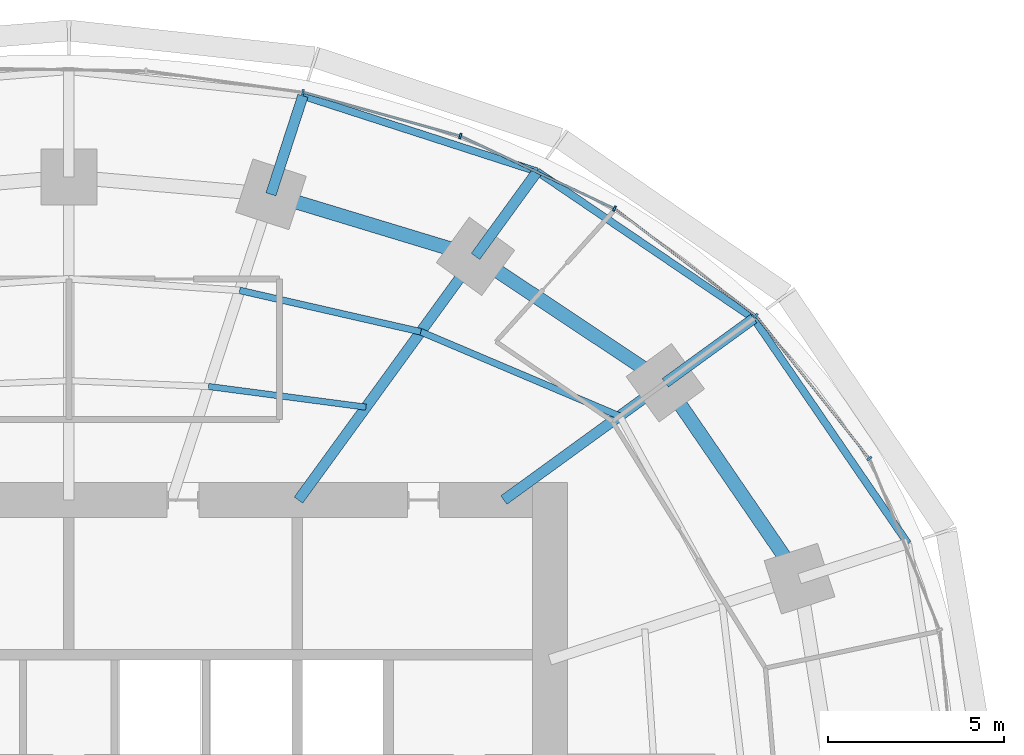
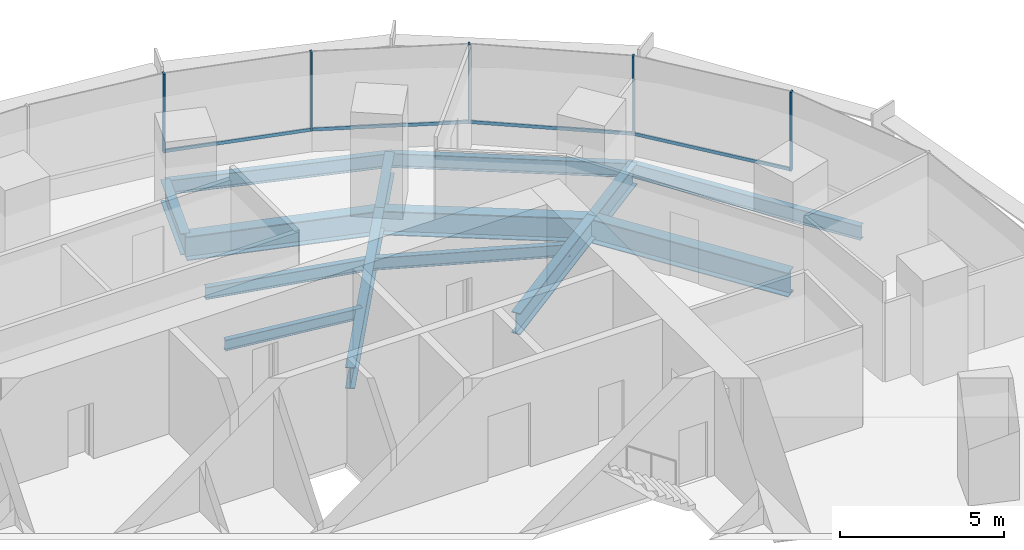
# One storey, part 8 of 14: 14 beams, 9 members, 2 elements without a shape of their own.
"""IFC4 building model written with IfcOpenShell, lengths in metres."""

from ifc_helpers import new_model, si_unit, direction, frame, origin, origin_2d, place, context, subcontext, project, spatial, rectangle, i_section, extrude, material, material_profile, profile_set, type_object, element, aggregate, save


model = new_model("IFC4")

# Units and contexts
model_context = context("Model", 3, precision=1e-05, world=origin(), true_north=direction((0.0, 1.0)))
body_context = subcontext(model_context, "Body", "Model", "MODEL_VIEW")
ifc_project = project(units=[si_unit("LENGTHUNIT", "METRE"), si_unit("AREAUNIT", "SQUARE_METRE"), si_unit("VOLUMEUNIT", "CUBIC_METRE"), si_unit("PLANEANGLEUNIT", "RADIAN"), si_unit("MASSUNIT", "GRAM", prefix="KILO")], contexts=[model_context])

# Site, building, storey
site_placement = place(None, origin())
site = spatial("IfcSite", under=ifc_project, at=site_placement, CompositionType="ELEMENT")
building_placement = place(site_placement, origin())
building = spatial("IfcBuilding", under=site, at=building_placement, Name="Marramba Exchange Tower", CompositionType="ELEMENT")
storey_placement = place(building_placement, frame((0.0, 0.0, 104.10009765625)))
storey = spatial("IfcBuildingStorey", under=building, at=storey_placement, Name="L24", CompositionType="ELEMENT", Elevation=104.10009765625)

# Beams
ifc_material_1 = material(Name="Steel AS/NZS 3679.2 grade 300", Category="steel")
ifc_material_profile_1 = material_profile(ifc_material_1, i_section(OverallWidth=0.300048828125, OverallDepth=0.800048828125, WebThickness=0.013916015625, FlangeThickness=0.031982421875, at=origin_2d()), Name="800WB192")
ifc_profile_set_1 = profile_set([ifc_material_profile_1], Name="Steel AS/NZS 3679.2 grade 300")
beam_type_1 = type_object("IfcBeamType", Name="Cantilever girder 800WB192", PredefinedType="BEAM", material=ifc_profile_set_1)
beam_1_placement = place(storey_placement, frame((16.98583984375, 12.3408203125, -0.56005859375), z_axis=(0.809013970709, 0.58778941399, 0.0), x_axis=(-0.58778941399, 0.809013970709, 0.0)))
element("IfcBeam", 1, at=beam_1_placement, inside=storey, type_object=beam_type_1, Name="Cantilever girder L24 TC03", PredefinedType="BEAM", context=body_context, shape_type="SweptSolid", body=[
    extrude(i_section(OverallWidth=0.300048828125, OverallDepth=0.800048828125, WebThickness=0.013916015625, FlangeThickness=0.031982421875, at=origin_2d()), origin(), (0.0, 0.0, 1.0), 3.1142578125),
])
beam_2_placement = place(storey_placement, frame((11.581298828125, 15.9404296875, -0.56005859375), z_axis=(0.587821738214, 0.808990484544, 0.0), x_axis=(-0.808990484544, 0.587821738214, 0.0)))
element("IfcBeam", 2, at=beam_2_placement, inside=storey, type_object=beam_type_1, Name="Cantilever girder L24 TC04", PredefinedType="BEAM", context=body_context, shape_type="SweptSolid", body=[
    extrude(i_section(OverallWidth=0.300048828125, OverallDepth=0.800048828125, WebThickness=0.013916015625, FlangeThickness=0.031982421875, at=origin_2d()), origin(), (0.0, 0.0, 1.0), 2.987060546875),
])
beam_3_placement = place(storey_placement, frame((5.75390625, 17.70849609375, -0.56005859375), z_axis=(0.309018704887, 0.951055960514, 0.0), x_axis=(-0.951055960514, 0.309018704887, 0.0)))
element("IfcBeam", 3, at=beam_3_placement, inside=storey, type_object=beam_type_1, Name="Cantilever girder L24 TC05", PredefinedType="BEAM", context=body_context, shape_type="SweptSolid", body=[
    extrude(i_section(OverallWidth=0.300048828125, OverallDepth=0.800048828125, WebThickness=0.013916015625, FlangeThickness=0.031982421875, at=origin_2d()), origin(), (0.0, 0.0, 1.0), 2.949951171875),
])
ifc_material_2 = material(Name="Steel AS/NZS 3679.1 grade 300", Category="steel")
ifc_material_profile_2 = material_profile(ifc_material_2, i_section(OverallWidth=0.177978515625, OverallDepth=0.406005859375, WebThickness=0.0078125, FlangeThickness=0.0126953125, FilletRadius=0.011474609375, at=origin_2d()), Name="410UB59.7")
ifc_profile_set_2 = profile_set([ifc_material_profile_2], Name="Steel AS/NZS 3679.1 grade 300")
beam_type_2 = type_object("IfcBeamType", Name="Floor joist 410UB59.7", PredefinedType="JOIST", material=ifc_profile_set_2)
beam_4_placement = place(storey_placement, frame((8.4619140625, 11.646728515625, -0.363037109375), z_axis=(-0.991480538255, 0.130254912618, 0.0), x_axis=(-0.130254912618, -0.991480538255, 0.0)))
element("IfcBeam", 4, at=beam_4_placement, inside=storey, type_object=beam_type_2, Name="Joist L24 bay 04 row 1", PredefinedType="JOIST", context=body_context, shape_type="SweptSolid", body=[
    extrude(i_section(OverallWidth=0.177978515625, OverallDepth=0.406005859375, WebThickness=0.0078125, FlangeThickness=0.0126953125, FilletRadius=0.011474609375, at=origin_2d()), origin(), (0.0, 0.0, 1.0), 4.524658203125),
])
ifc_material_profile_3 = material_profile(ifc_material_2, i_section(OverallWidth=0.18994140625, OverallDepth=0.4541015625, WebThickness=0.008544921875, FlangeThickness=0.0126953125, FilletRadius=0.011474609375, at=origin_2d()), Name="460UB67.1")
ifc_profile_set_3 = profile_set([ifc_material_profile_3], Name="Steel AS/NZS 3679.1 grade 300")
beam_type_3 = type_object("IfcBeamType", Name="Floor joist 460UB67.1", PredefinedType="JOIST", material=ifc_profile_set_3)
beam_5_placement = place(storey_placement, frame((15.682373046875, 11.393798828125, -0.38720703125), z_axis=(-0.920674336375, 0.390331610738, 0.0), x_axis=(-0.390331610738, -0.920674336375, 0.0)))
element("IfcBeam", 5, at=beam_5_placement, inside=storey, type_object=beam_type_3, Name="Joist L24 bay 03 row 2", PredefinedType="JOIST", context=body_context, shape_type="SweptSolid", body=[
    extrude(i_section(OverallWidth=0.18994140625, OverallDepth=0.4541015625, WebThickness=0.008544921875, FlangeThickness=0.0126953125, FilletRadius=0.011474609375, at=origin_2d()), origin(), (0.0, 0.0, 1.0), 6.1484375),
])
beam_6_placement = place(storey_placement, frame((10.021728515625, 13.793701171875, -0.38720703125), z_axis=(-0.974859652292, 0.222819788916, 0.0), x_axis=(-0.222819788916, -0.974859652292, 0.0)))
element("IfcBeam", 6, at=beam_6_placement, inside=storey, type_object=beam_type_3, Name="Joist L24 bay 04 row 2", PredefinedType="JOIST", context=body_context, shape_type="SweptSolid", body=[
    extrude(i_section(OverallWidth=0.18994140625, OverallDepth=0.4541015625, WebThickness=0.008544921875, FlangeThickness=0.0126953125, FilletRadius=0.011474609375, at=origin_2d()), origin(), (0.0, 0.0, 1.0), 5.2900390625),
])

# Curtain wall, members
ifc_material_3 = material(Name="Aluminium framing, bronze anodised", Category="aluminium")
curtain_wall_type = type_object("IfcCurtainWallType", Name="Office ribbon curtain wall", PredefinedType="USERDEFINED", material=ifc_material_3)
curtain_wall_1_placement = place(storey_placement, origin())
curtain_wall_1 = element("IfcCurtainWall", 7, at=curtain_wall_1_placement, inside=storey, type_object=curtain_wall_type, Name="Curtain wall CW4 L24 F01-F05", ObjectType="RIBBON CURTAIN WALL", PredefinedType="USERDEFINED")
ifc_material_4 = material(Name="Aluminium mullion, bronze anodised", Category="aluminium")
ifc_material_profile_4 = material_profile(ifc_material_4, rectangle(XDim=0.159912109375, YDim=0.06005859375, at=origin_2d()), Name="CW4 mullion 60x160")
ifc_profile_set_4 = profile_set([ifc_material_profile_4], Name="Aluminium mullion, bronze anodised")
member_type_1 = type_object("IfcMemberType", Name="Office ribbon curtain wall mullion", PredefinedType="MULLION", material=ifc_profile_set_4)
member_1_placement = place(storey_placement, frame((22.796630859375, 10.181640625, 0.7998046875), z_axis=(0.0, 0.0, 1.0), x_axis=(-0.783563266703, -0.621312004611, 0.0)))
member_1 = element("IfcMember", 8, at=member_1_placement, type_object=member_type_1, Name="CW4 mullion 1", PredefinedType="MULLION", context=body_context, shape_type="SweptSolid", body=[
    extrude(rectangle(XDim=0.159912109375, YDim=0.06005859375, at=origin_2d()), origin(), (0.0, 0.0, 1.0), 2.940185546875),
])
member_2_placement = place(storey_placement, frame((19.5625, 14.24853515625, 0.7998046875), z_axis=(0.0, 0.0, 1.0), x_axis=(-0.60533377223, -0.795971748366, 0.0)))
member_2 = element("IfcMember", 9, at=member_2_placement, type_object=member_type_1, Name="CW4 mullion 1", PredefinedType="MULLION", context=body_context, shape_type="SweptSolid", body=[
    extrude(rectangle(XDim=0.159912109375, YDim=0.06005859375, at=origin_2d()), origin(), (0.0, 0.0, 1.0), 2.940185546875),
])
member_3_placement = place(storey_placement, frame((15.538818359375, 17.300537109375, 0.7998046875), z_axis=(0.0, 0.0, 1.0), x_axis=(-0.426678995157, -0.904403137485, 0.0)))
member_3 = element("IfcMember", 10, at=member_3_placement, type_object=member_type_1, Name="CW4 mullion 1", PredefinedType="MULLION", context=body_context, shape_type="SweptSolid", body=[
    extrude(rectangle(XDim=0.159912109375, YDim=0.06005859375, at=origin_2d()), origin(), (0.0, 0.0, 1.0), 2.940185546875),
])

curtain_wall_2_placement = place(storey_placement, origin())
curtain_wall_2 = element("IfcCurtainWall", 11, at=curtain_wall_2_placement, inside=storey, type_object=curtain_wall_type, Name="Curtain wall CW4 L24 F06-F10", ObjectType="RIBBON CURTAIN WALL", PredefinedType="USERDEFINED")
member_4_placement = place(storey_placement, frame((11.147705078125, 19.366455078125, 0.7998046875), z_axis=(0.0, 0.0, 1.0), x_axis=(-0.268865090816, -0.963177845956, 0.0)))
member_4 = element("IfcMember", 12, at=member_4_placement, type_object=member_type_1, Name="CW4 mullion 1", PredefinedType="MULLION", context=body_context, shape_type="SweptSolid", body=[
    extrude(rectangle(XDim=0.159912109375, YDim=0.06005859375, at=origin_2d()), origin(), (0.0, 0.0, 1.0), 2.940185546875),
])
member_5_placement = place(storey_placement, frame((6.66650390625, 20.61328125, 0.7998046875), z_axis=(0.0, 0.0, 1.0), x_axis=(-0.135785837319, -0.990738212841, 0.0)))
member_5 = element("IfcMember", 13, at=member_5_placement, type_object=member_type_1, Name="CW4 mullion 1", PredefinedType="MULLION", context=body_context, shape_type="SweptSolid", body=[
    extrude(rectangle(XDim=0.159912109375, YDim=0.06005859375, at=origin_2d()), origin(), (0.0, 0.0, 1.0), 2.940185546875),
])

# Member
ifc_material_5 = material(Name="Aluminium transom, bronze anodised", Category="aluminium")
ifc_material_profile_5 = material_profile(ifc_material_5, rectangle(XDim=0.06005859375, YDim=0.1201171875, at=origin_2d()), Name="CW4 transom 60x120")
ifc_profile_set_5 = profile_set([ifc_material_profile_5], Name="Aluminium transom, bronze anodised")
member_type_2 = type_object("IfcMemberType", Name="Office ribbon curtain wall transom", PredefinedType="USERDEFINED", material=ifc_profile_set_5)
member_6_placement = place(storey_placement, frame((22.778076171875, 10.205078125, 0.829833984375), z_axis=(-0.621339379472, 0.783541559534, 0.0), x_axis=(-0.783541559534, -0.621339379472, 0.0)))
member_6 = element("IfcMember", 14, at=member_6_placement, type_object=member_type_2, Name="CW4 sill transom", ObjectType="TRANSOM", PredefinedType="USERDEFINED", context=body_context, shape_type="SweptSolid", body=[
    extrude(rectangle(XDim=0.06005859375, YDim=0.1201171875, at=origin_2d()), origin(), (0.0, 0.0, 1.0), 5.13720703125),
])

member_7_placement = place(storey_placement, frame((19.53857421875, 14.2666015625, 0.829833984375), z_axis=(-0.7959906025, 0.605308979556, 0.0), x_axis=(-0.605308979556, -0.7959906025, 0.0)))
member_7 = element("IfcMember", 15, at=member_7_placement, type_object=member_type_2, Name="CW4 sill transom", ObjectType="TRANSOM", PredefinedType="USERDEFINED", context=body_context, shape_type="SweptSolid", body=[
    extrude(rectangle(XDim=0.06005859375, YDim=0.1201171875, at=origin_2d()), origin(), (0.0, 0.0, 1.0), 4.99072265625),
])

member_8_placement = place(storey_placement, frame((15.51171875, 17.313232421875, 0.829833984375), z_axis=(-0.904410826824, 0.426662696193, 0.0), x_axis=(-0.426662696193, -0.904410826824, 0.0)))
member_8 = element("IfcMember", 16, at=member_8_placement, type_object=member_type_2, Name="CW4 sill transom", ObjectType="TRANSOM", PredefinedType="USERDEFINED", context=body_context, shape_type="SweptSolid", body=[
    extrude(rectangle(XDim=0.06005859375, YDim=0.1201171875, at=origin_2d()), origin(), (0.0, 0.0, 1.0), 4.79345703125),
])

aggregate(curtain_wall_1, [member_1, member_6, member_2, member_7, member_3, member_8])

member_9_placement = place(storey_placement, frame((11.118896484375, 19.37451171875, 0.829833984375), z_axis=(-0.963173567938, 0.268880415847, 0.0), x_axis=(-0.268880415847, -0.963173567938, 0.0)))
member_9 = element("IfcMember", 17, at=member_9_placement, type_object=member_type_2, Name="CW4 sill transom", ObjectType="TRANSOM", PredefinedType="USERDEFINED", context=body_context, shape_type="SweptSolid", body=[
    extrude(rectangle(XDim=0.06005859375, YDim=0.1201171875, at=origin_2d()), origin(), (0.0, 0.0, 1.0), 4.591796875),
])

aggregate(curtain_wall_2, [member_4, member_9, member_5])

# Beams
ifc_material_profile_6 = material_profile(ifc_material_1, i_section(OverallWidth=0.300048828125, OverallDepth=0.800048828125, WebThickness=0.013916015625, FlangeThickness=0.031982421875, at=origin_2d()), Name="800WB192")
ifc_profile_set_6 = profile_set([ifc_material_profile_6], Name="Steel AS/NZS 3679.2 grade 300")
beam_type_4 = type_object("IfcBeamType", Name="Radial girder 800WB192", PredefinedType="BEAM", material=ifc_profile_set_6)
beam_7_placement = place(storey_placement, frame((12.387451171875, 9.0, -0.56005859375), z_axis=(0.809025746925, 0.587773205252, 0.0), x_axis=(-0.587773205252, 0.809025746925, 0.0)))
element("IfcBeam", 18, at=beam_7_placement, inside=storey, type_object=beam_type_4, Name="Radial girder L24 TC03", PredefinedType="BEAM", context=body_context, shape_type="SweptSolid", body=[
    extrude(i_section(OverallWidth=0.300048828125, OverallDepth=0.800048828125, WebThickness=0.013916015625, FlangeThickness=0.031982421875, at=origin_2d()), origin(), (0.0, 0.0, 1.0), 5.683837890625),
])
beam_8_placement = place(storey_placement, frame((6.538818359375, 9.0, -0.56005859375), z_axis=(0.587782439969, 0.80901903764, 0.0), x_axis=(-0.80901903764, 0.587782439969, 0.0)))
element("IfcBeam", 19, at=beam_8_placement, inside=storey, type_object=beam_type_4, Name="Radial girder L24 TC04", PredefinedType="BEAM", context=body_context, shape_type="SweptSolid", body=[
    extrude(i_section(OverallWidth=0.300048828125, OverallDepth=0.800048828125, WebThickness=0.013916015625, FlangeThickness=0.031982421875, at=origin_2d()), origin(), (0.0, 0.0, 1.0), 8.578857421875),
])
ifc_material_profile_7 = material_profile(ifc_material_1, i_section(OverallWidth=0.39990234375, OverallDepth=0.89990234375, WebThickness=0.01611328125, FlangeThickness=0.031982421875, at=origin_2d()), Name="900WB282")
ifc_profile_set_7 = profile_set([ifc_material_profile_7], Name="Steel AS/NZS 3679.2 grade 300")
beam_type_5 = type_object("IfcBeamType", Name="Ring beam 900WB282", PredefinedType="SPANDREL", material=ifc_profile_set_7)
beam_9_placement = place(storey_placement, frame((20.808349609375, 6.760986328125, -0.610107421875), z_axis=(-0.56516002054, 0.824981303535, 0.0), x_axis=(-0.824981303535, -0.56516002054, 0.0)))
element("IfcBeam", 20, at=beam_9_placement, inside=storey, type_object=beam_type_5, Name="Ring beam L24 TC02-TC03", PredefinedType="SPANDREL", context=body_context, shape_type="SweptSolid", body=[
    extrude(i_section(OverallWidth=0.39990234375, OverallDepth=0.89990234375, WebThickness=0.01611328125, FlangeThickness=0.031982421875, at=origin_2d()), origin(), (0.0, 0.0, 1.0), 6.763671875),
])
beam_10_placement = place(storey_placement, frame((16.98583984375, 12.3408203125, -0.610107421875), z_axis=(-0.832293151443, 0.554335737673, 0.0), x_axis=(-0.554335737673, -0.832293151443, 0.0)))
element("IfcBeam", 21, at=beam_10_placement, inside=storey, type_object=beam_type_5, Name="Ring beam L24 TC03-TC04", PredefinedType="SPANDREL", context=body_context, shape_type="SweptSolid", body=[
    extrude(i_section(OverallWidth=0.39990234375, OverallDepth=0.89990234375, WebThickness=0.01611328125, FlangeThickness=0.031982421875, at=origin_2d()), origin(), (0.0, 0.0, 1.0), 6.49365234375),
])
beam_11_placement = place(storey_placement, frame((11.581298828125, 15.9404296875, -0.610107421875), z_axis=(-0.956924542524, 0.290336735387, 0.0), x_axis=(-0.290336735387, -0.956924542524, 0.0)))
element("IfcBeam", 22, at=beam_11_placement, inside=storey, type_object=beam_type_5, Name="Ring beam L24 TC04-TC05", PredefinedType="SPANDREL", context=body_context, shape_type="SweptSolid", body=[
    extrude(i_section(OverallWidth=0.39990234375, OverallDepth=0.89990234375, WebThickness=0.01611328125, FlangeThickness=0.031982421875, at=origin_2d()), origin(), (0.0, 0.0, 1.0), 6.089599609375),
])
ifc_material_profile_8 = material_profile(ifc_material_2, i_section(OverallWidth=0.208984375, OverallDepth=0.528076171875, WebThickness=0.009521484375, FlangeThickness=0.01318359375, FilletRadius=0.013916015625, at=origin_2d()), Name="530UB82.0")
ifc_profile_set_8 = profile_set([ifc_material_profile_8], Name="Steel AS/NZS 3679.1 grade 300")
beam_type_6 = type_object("IfcBeamType", Name="Slab edge beam 530UB82.0", PredefinedType="SPANDREL", material=ifc_profile_set_8)
beam_12_placement = place(storey_placement, frame((23.89501953125, 7.763916015625, -0.424072265625), z_axis=(-0.56517400038, 0.824971726361, 0.0), x_axis=(-0.824971726361, -0.56517400038, 0.0)))
element("IfcBeam", 23, at=beam_12_placement, inside=storey, type_object=beam_type_6, Name="Slab edge beam L24 TC02-TC03", PredefinedType="SPANDREL", context=body_context, shape_type="SweptSolid", body=[
    extrude(i_section(OverallWidth=0.208984375, OverallDepth=0.528076171875, WebThickness=0.009521484375, FlangeThickness=0.01318359375, FilletRadius=0.013916015625, at=origin_2d()), origin(), (0.0, 0.0, 1.0), 7.766845703125),
])
beam_13_placement = place(storey_placement, frame((19.50537109375, 14.17138671875, -0.424072265625), z_axis=(-0.827477404833, 0.561499015574, 0.0), x_axis=(-0.561499015574, -0.827477404833, 0.0)))
element("IfcBeam", 24, at=beam_13_placement, inside=storey, type_object=beam_type_6, Name="Slab edge beam L24 TC03-TC04", PredefinedType="SPANDREL", context=body_context, shape_type="SweptSolid", body=[
    extrude(i_section(OverallWidth=0.208984375, OverallDepth=0.528076171875, WebThickness=0.009521484375, FlangeThickness=0.01318359375, FilletRadius=0.013916015625, at=origin_2d()), origin(), (0.0, 0.0, 1.0), 7.454345703125),
])
beam_14_placement = place(storey_placement, frame((13.337158203125, 18.35693359375, -0.424072265625), z_axis=(-0.951496392577, 0.307659901373, 0.0), x_axis=(-0.307659901373, -0.951496392577, 0.0)))
element("IfcBeam", 25, at=beam_14_placement, inside=storey, type_object=beam_type_6, Name="Slab edge beam L24 TC04-TC05", PredefinedType="SPANDREL", context=body_context, shape_type="SweptSolid", body=[
    extrude(i_section(OverallWidth=0.208984375, OverallDepth=0.528076171875, WebThickness=0.009521484375, FlangeThickness=0.01318359375, FilletRadius=0.013916015625, at=origin_2d()), origin(), (0.0, 0.0, 1.0), 7.01171875),
])

save(model, "model.ifc")
